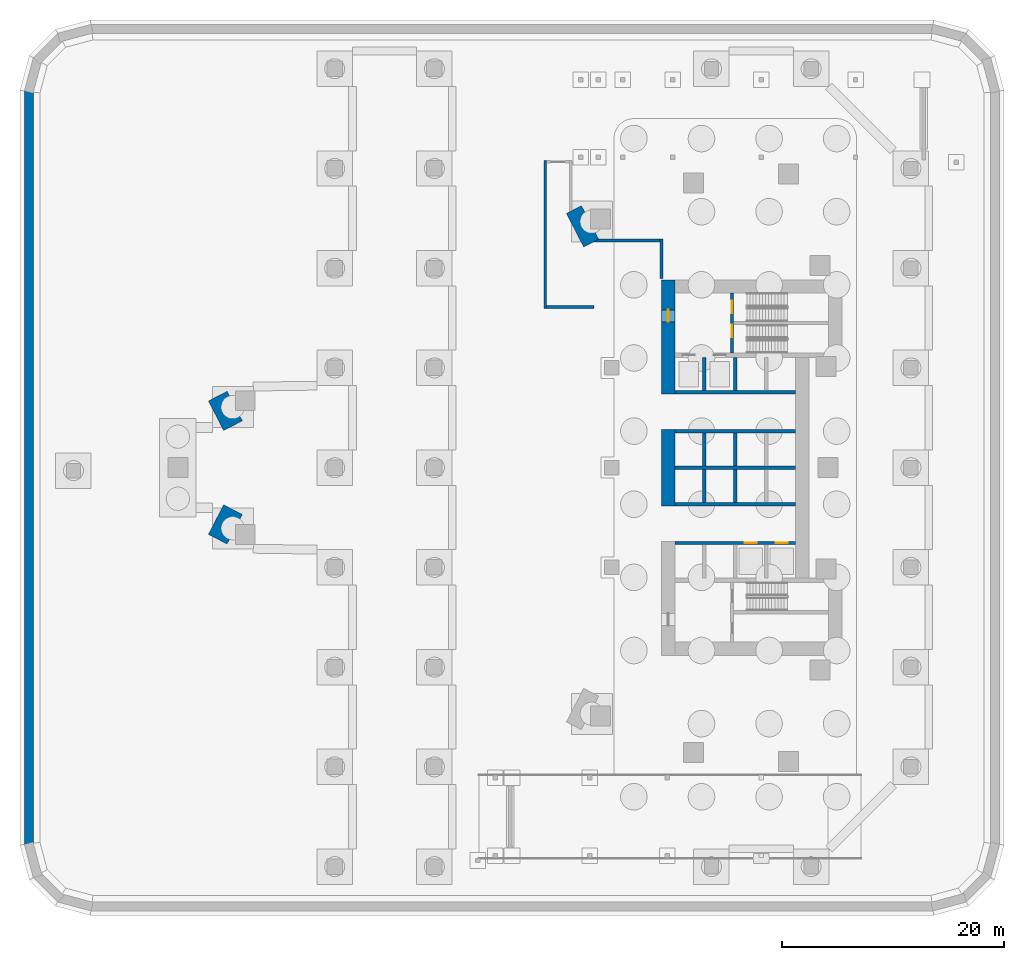
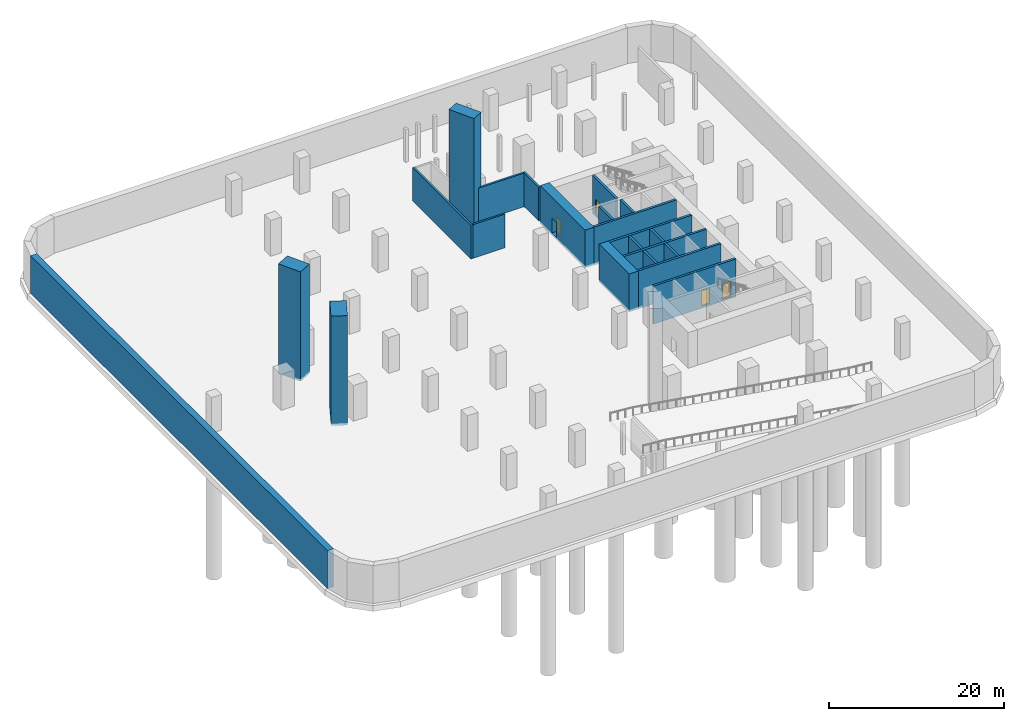
# One storey, part 5 of 11: 22 walls, 5 doors, 5 openings.
"""IFC4 building model written with IfcOpenShell, lengths in metres."""

from ifc_helpers import new_model, si_unit, direction, frame, frame_2d, origin, place, context, subcontext, project, spatial, polyline, rectangle, outline, extrude, material, layer, layer_set, type_object, element, fill, save


model = new_model("IFC4")

# Units and contexts
model_context = context("Model", 3, precision=1e-05, world=origin(), true_north=direction((0.0, 1.0)))
body_context = subcontext(model_context, "Body", "Model", "MODEL_VIEW")
ifc_project = project(units=[si_unit("LENGTHUNIT", "METRE"), si_unit("AREAUNIT", "SQUARE_METRE"), si_unit("VOLUMEUNIT", "CUBIC_METRE"), si_unit("PLANEANGLEUNIT", "RADIAN"), si_unit("MASSUNIT", "GRAM", prefix="KILO")], contexts=[model_context])

# Site, building, storey
site_placement = place(None, origin())
site = spatial("IfcSite", under=ifc_project, at=site_placement, CompositionType="ELEMENT")
building_placement = place(site_placement, origin())
building = spatial("IfcBuilding", under=site, at=building_placement, Name="Ostrand Prow Hotel Tower", CompositionType="ELEMENT")
storey_placement = place(building_placement, frame((0.0, 0.0, -10.0)))
storey = spatial("IfcBuildingStorey", under=building, at=storey_placement, Name="B2", CompositionType="ELEMENT", Elevation=-10.0)

# Walls
ifc_material_1 = material(Name="Concrete C80/95", Category="concrete")
ifc_layer_1 = layer(ifc_material_1, 3.0)
ifc_layer_set_1 = layer_set([ifc_layer_1], Name="Concrete C80/95")
wall_type_1 = type_object("IfcWallType", Name="Abutment pier 3000 C80/95", PredefinedType="SHEAR", material=ifc_layer_set_1)
for number, where, z_axis, x_axis, name in (
    (1, (9.289794921875, -4.68701171875, -0.300048828125), (0.0, 0.0, 1.0), (0.888432899761, -0.459006516972, 0.0), "Abutment pier SW"),
    (2, (9.289794921875, 4.68701171875, -0.300048828125), (0.0, 0.0, 1.0), (0.888432899761, 0.459006516972, 0.0), "Abutment pier NW"),
):
    element("IfcWall", number, at=place(storey_placement, frame(where, z_axis=z_axis, x_axis=x_axis)), inside=storey, type_object=wall_type_1, Name=name, PredefinedType="SHEAR", context=body_context, shape_type="SweptSolid", body=[
        extrude(rectangle(XDim=1.898193359375, YDim=3.0, at=frame_2d((0.94921875, 0.0))), origin(), (0.0, 0.0, 1.0), 15.300048828125),
    ])
ifc_material_2 = material(Name="Concrete C80/95", Category="concrete")
ifc_layer_2 = layer(ifc_material_2, 3.39990234375)
ifc_layer_set_2 = layer_set([ifc_layer_2], Name="Concrete C80/95")
wall_type_2 = type_object("IfcWallType", Name="Abutment pier 3400 C80/95", PredefinedType="SHEAR", material=ifc_layer_set_2)
wall_1_placement = place(storey_placement, frame((41.689697265625, 21.42919921875, -0.300048828125), z_axis=(0.0, 0.0, 1.0), x_axis=(0.888406364692, 0.459057873449, 0.0)))
element("IfcWall", 3, at=wall_1_placement, inside=storey, type_object=wall_type_2, Name="Abutment pier NE", PredefinedType="SHEAR", context=body_context, shape_type="SweptSolid", body=[
    extrude(rectangle(XDim=1.528564453125, YDim=3.39990234375, at=frame_2d((0.76416015625, 0.0))), origin(), (0.0, 0.0, 1.0), 15.300048828125),
])

# Wall, opening, door
ifc_material_3 = material(Name="Concrete C80/95", Category="concrete")
ifc_layer_3 = layer(ifc_material_3, 1.199951171875)
ifc_layer_set_3 = layer_set([ifc_layer_3], Name="Concrete C80/95")
wall_type_3 = type_object("IfcWallType", Name="Core wall 1200 C80/95", PredefinedType="SHEAR", material=ifc_layer_set_3)
wall_2_placement = place(storey_placement, frame((50.10009765625, 6.64990234375, -0.300048828125), z_axis=(0.0, 0.0, 1.0), x_axis=(0.0, 1.0, 0.0)))
wall_2 = element("IfcWall", 4, at=wall_2_placement, inside=storey, type_object=wall_type_3, Name="Core wall CW-W-N", PredefinedType="SHEAR", context=body_context, shape_type="SweptSolid", body=[
    extrude(rectangle(XDim=10.300048828125, YDim=1.199951171875, at=frame_2d((5.14990234375, 0.0))), origin(), (0.0, 0.0, 1.0), 5.300048828125),
])
opening_1_placement = place(wall_2_placement, frame((6.5, 0.0, 0.300048828125)))
opening_1 = element("IfcOpeningElement", 5, at=opening_1_placement, cuts=wall_2, Name="Opening FD1", PredefinedType="OPENING", context=body_context, shape_type="SweptSolid", body=[
    extrude(rectangle(XDim=1.10009765625, YDim=2.10009765625, at=frame_2d((0.550048828125, 1.050048828125))), frame((0.0, 0.60986328125, 0.0), z_axis=(0.0, -1.0, 0.0), x_axis=(1.0, 0.0, 0.0)), (0.0, 0.0, 1.0), 1.219970703125),
])
ifc_material_4 = material(Name="Steel fire door", Category="steel")
door_type_1 = type_object("IfcDoorType", Name="Fire door 1100 EI120", OperationType="SINGLE_SWING_RIGHT", PredefinedType="DOOR", material=ifc_material_4)
door_1_placement = place(opening_1_placement, origin())
door_1 = element("IfcDoor", 6, at=door_1_placement, inside=storey, type_object=door_type_1, Name="FIRE DOOR", OperationType="SINGLE_SWING_RIGHT", OverallHeight=2.10009765625, OverallWidth=1.10009765625, PredefinedType="DOOR", context=body_context, shape_type="SweptSolid", body=[
    extrude(rectangle(XDim=1.10009765625, YDim=2.10009765625, at=frame_2d((0.550048828125, 1.050048828125))), frame((0.0, 0.02490234375, 0.0), z_axis=(0.0, -1.0, 0.0), x_axis=(1.0, 0.0, 0.0)), (0.0, 0.0, 1.0), 0.050048828125),
])
fill(opening_1, door_1)

# Walls
wall_3_placement = place(storey_placement, frame((50.10009765625, -3.449951171875, -0.300048828125), z_axis=(0.0, 0.0, 1.0), x_axis=(0.0, 1.0, 0.0)))
element("IfcWall", 7, at=wall_3_placement, inside=storey, type_object=wall_type_3, Name="Core wall CW-W-C", PredefinedType="SHEAR", context=body_context, shape_type="SweptSolid", body=[
    extrude(rectangle(XDim=6.89990234375, YDim=1.199951171875, at=frame_2d((3.449951171875, 0.0))), origin(), (0.0, 0.0, 1.0), 5.300048828125),
])
ifc_material_5 = material(Name="Concrete C80/95", Category="concrete")
ifc_layer_4 = layer(ifc_material_5, 0.300048828125)
ifc_layer_set_4 = layer_set([ifc_layer_4], Name="Concrete C80/95")
wall_type_4 = type_object("IfcWallType", Name="Core wall 300 C80/95", PredefinedType="SHEAR", material=ifc_layer_set_4)
for number, where, z_axis, x_axis, name in (
    (8, (50.699951171875, 0.0, -0.300048828125), (0.0, 0.0, 1.0), (1.0, 0.0, 0.0), "Core wall PW-C"),
    (9, (50.699951171875, 3.300048828125, -0.300048828125), (0.0, 0.0, 1.0), (1.0, 0.0, 0.0), "Core wall PW-L1-N"),
    (10, (50.699951171875, 6.800048828125, -0.300048828125), (0.0, 0.0, 1.0), (1.0, 0.0, 0.0), "Core wall PW-L2-N"),
):
    element("IfcWall", number, at=place(storey_placement, frame(where, z_axis=z_axis, x_axis=x_axis)), inside=storey, type_object=wall_type_4, Name=name, PredefinedType="SHEAR", context=body_context, shape_type="SweptSolid", body=[
        extrude(rectangle(XDim=10.900146484375, YDim=0.300048828125, at=frame_2d((5.4501953125, 0.0))), origin(), (0.0, 0.0, 1.0), 5.300048828125),
    ])
for number, where, z_axis, x_axis, name in (
    (11, (53.35009765625, 0.14990234375, -0.300048828125), (0.0, 0.0, 1.0), (0.0, 1.0, 0.0), "Core wall PW-R1-NB"),
    (12, (53.35009765625, 6.949951171875, -0.300048828125), (0.0, 0.0, 1.0), (0.0, 1.0, 0.0), "Core wall PW-R1-NA"),
    (13, (56.14990234375, 0.14990234375, -0.300048828125), (0.0, 0.0, 1.0), (0.0, 1.0, 0.0), "Core wall PW-R2-NB"),
    (14, (56.14990234375, 6.949951171875, -0.300048828125), (0.0, 0.0, 1.0), (0.0, 1.0, 0.0), "Core wall PW-R2-NA"),
):
    element("IfcWall", number, at=place(storey_placement, frame(where, z_axis=z_axis, x_axis=x_axis)), inside=storey, type_object=wall_type_4, Name=name, PredefinedType="SHEAR", context=body_context, shape_type="SweptSolid", body=[
        extrude(rectangle(XDim=3.0, YDim=0.300048828125, at=frame_2d((1.5, 0.0))), origin(), (0.0, 0.0, 1.0), 5.300048828125),
    ])
wall_4_placement = place(storey_placement, frame((50.699951171875, -3.300048828125, -0.300048828125), z_axis=(0.0, 0.0, 1.0), x_axis=(1.0, 0.0, 0.0)))
element("IfcWall", 15, at=wall_4_placement, inside=storey, type_object=wall_type_4, Name="Core wall PW-L1-S", PredefinedType="SHEAR", context=body_context, shape_type="SweptSolid", body=[
    extrude(rectangle(XDim=10.900146484375, YDim=0.300048828125, at=frame_2d((5.4501953125, 0.0))), origin(), (0.0, 0.0, 1.0), 5.300048828125),
])

# Wall, openings, doors
wall_5_placement = place(storey_placement, frame((50.699951171875, -6.800048828125, -0.300048828125), z_axis=(0.0, 0.0, 1.0), x_axis=(1.0, 0.0, 0.0)))
wall_5 = element("IfcWall", 16, at=wall_5_placement, inside=storey, type_object=wall_type_4, Name="Core wall PW-L2-S", PredefinedType="SHEAR", context=body_context, shape_type="SweptSolid", body=[
    extrude(rectangle(XDim=10.900146484375, YDim=0.300048828125, at=frame_2d((5.4501953125, 0.0))), origin(), (0.0, 0.0, 1.0), 5.300048828125),
])
opening_2_placement = place(wall_5_placement, frame((6.300048828125, 0.0, 0.300048828125)))
opening_2 = element("IfcOpeningElement", 17, at=opening_2_placement, cuts=wall_5, Name="Opening LD", PredefinedType="OPENING", context=body_context, shape_type="SweptSolid", body=[
    extrude(rectangle(XDim=1.10009765625, YDim=2.10009765625, at=frame_2d((0.550048828125, 1.050048828125))), frame((0.0, 0.159912109375, 0.0), z_axis=(0.0, -1.0, 0.0), x_axis=(1.0, 0.0, 0.0)), (0.0, 0.0, 1.0), 0.320068359375),
])
opening_3_placement = place(wall_5_placement, frame((9.10009765625, 0.0, 0.300048828125)))
opening_3 = element("IfcOpeningElement", 18, at=opening_3_placement, cuts=wall_5, Name="Opening LD", PredefinedType="OPENING", context=body_context, shape_type="SweptSolid", body=[
    extrude(rectangle(XDim=1.10009765625, YDim=2.10009765625, at=frame_2d((0.550048828125, 1.050048828125))), frame((0.0, 0.159912109375, 0.0), z_axis=(0.0, -1.0, 0.0), x_axis=(1.0, 0.0, 0.0)), (0.0, 0.0, 1.0), 0.320068359375),
])
ifc_material_6 = material(Name="Stainless steel door", Category="steel")
door_type_2 = type_object("IfcDoorType", Name="Lift landing door 1100", OperationType="DOUBLE_DOOR_SLIDING", PredefinedType="DOOR", material=ifc_material_6)
door_2_placement = place(opening_2_placement, origin())
door_2 = element("IfcDoor", 19, at=door_2_placement, inside=storey, type_object=door_type_2, Name="LIFT LANDING DOOR", OperationType="DOUBLE_DOOR_SLIDING", OverallHeight=2.10009765625, OverallWidth=1.10009765625, PredefinedType="DOOR", context=body_context, shape_type="SweptSolid", body=[
    extrude(rectangle(XDim=1.10009765625, YDim=2.10009765625, at=frame_2d((0.550048828125, 1.050048828125))), frame((0.0, 0.02490234375, 0.0), z_axis=(0.0, -1.0, 0.0), x_axis=(1.0, 0.0, 0.0)), (0.0, 0.0, 1.0), 0.050048828125),
])
fill(opening_2, door_2)
door_3_placement = place(opening_3_placement, origin())
door_3 = element("IfcDoor", 20, at=door_3_placement, inside=storey, type_object=door_type_2, Name="LIFT LANDING DOOR", OperationType="DOUBLE_DOOR_SLIDING", OverallHeight=2.10009765625, OverallWidth=1.10009765625, PredefinedType="DOOR", context=body_context, shape_type="SweptSolid", body=[
    extrude(rectangle(XDim=1.10009765625, YDim=2.10009765625, at=frame_2d((0.550048828125, 1.050048828125))), frame((0.0, 0.02490234375, 0.0), z_axis=(0.0, -1.0, 0.0), x_axis=(1.0, 0.0, 0.0)), (0.0, 0.0, 1.0), 0.050048828125),
])
fill(opening_3, door_3)

# Walls
for number, where, z_axis, x_axis, name in (
    (21, (53.35009765625, -3.14990234375, -0.300048828125), (0.0, 0.0, 1.0), (0.0, 1.0, 0.0), "Core wall PW-R1-SB"),
    (22, (56.14990234375, -3.14990234375, -0.300048828125), (0.0, 0.0, 1.0), (0.0, 1.0, 0.0), "Core wall PW-R2-SB"),
):
    element("IfcWall", number, at=place(storey_placement, frame(where, z_axis=z_axis, x_axis=x_axis)), inside=storey, type_object=wall_type_4, Name=name, PredefinedType="SHEAR", context=body_context, shape_type="SweptSolid", body=[
        extrude(rectangle(XDim=3.0, YDim=0.300048828125, at=frame_2d((1.5, 0.0))), origin(), (0.0, 0.0, 1.0), 5.300048828125),
    ])

# Wall, openings, doors
wall_6_placement = place(storey_placement, frame((55.85009765625, 10.35009765625, -0.300048828125), z_axis=(0.0, 0.0, 1.0), x_axis=(0.0, 1.0, 0.0)))
wall_6 = element("IfcWall", 23, at=wall_6_placement, inside=storey, type_object=wall_type_4, Name="Core wall PW-VN", PredefinedType="SHEAR", context=body_context, shape_type="SweptSolid", body=[
    extrude(rectangle(XDim=5.39990234375, YDim=0.300048828125, at=frame_2d((2.699951171875, 0.0))), origin(), (0.0, 0.0, 1.0), 5.300048828125),
])
opening_4_placement = place(wall_6_placement, frame((1.429931640625, 0.0, 0.300048828125)))
opening_4 = element("IfcOpeningElement", 24, at=opening_4_placement, cuts=wall_6, Name="Opening FD1", PredefinedType="OPENING", context=body_context, shape_type="SweptSolid", body=[
    extrude(rectangle(XDim=1.10009765625, YDim=2.10009765625, at=frame_2d((0.550048828125, 1.050048828125))), frame((0.0, 0.159912109375, 0.0), z_axis=(0.0, -1.0, 0.0), x_axis=(1.0, 0.0, 0.0)), (0.0, 0.0, 1.0), 0.320068359375),
])
opening_5_placement = place(wall_6_placement, frame((3.60009765625, 0.0, 0.300048828125)))
opening_5 = element("IfcOpeningElement", 25, at=opening_5_placement, cuts=wall_6, Name="Opening FD1", PredefinedType="OPENING", context=body_context, shape_type="SweptSolid", body=[
    extrude(rectangle(XDim=1.10009765625, YDim=2.10009765625, at=frame_2d((0.550048828125, 1.050048828125))), frame((0.0, 0.159912109375, 0.0), z_axis=(0.0, -1.0, 0.0), x_axis=(1.0, 0.0, 0.0)), (0.0, 0.0, 1.0), 0.320068359375),
])
door_4_placement = place(opening_4_placement, origin())
door_4 = element("IfcDoor", 26, at=door_4_placement, inside=storey, type_object=door_type_1, Name="FIRE DOOR", OperationType="SINGLE_SWING_RIGHT", OverallHeight=2.10009765625, OverallWidth=1.10009765625, PredefinedType="DOOR", context=body_context, shape_type="SweptSolid", body=[
    extrude(rectangle(XDim=1.10009765625, YDim=2.10009765625, at=frame_2d((0.550048828125, 1.050048828125))), frame((0.0, 0.02490234375, 0.0), z_axis=(0.0, -1.0, 0.0), x_axis=(1.0, 0.0, 0.0)), (0.0, 0.0, 1.0), 0.050048828125),
])
fill(opening_4, door_4)
door_5_placement = place(opening_5_placement, origin())
door_5 = element("IfcDoor", 27, at=door_5_placement, inside=storey, type_object=door_type_1, Name="FIRE DOOR", OperationType="SINGLE_SWING_RIGHT", OverallHeight=2.10009765625, OverallWidth=1.10009765625, PredefinedType="DOOR", context=body_context, shape_type="SweptSolid", body=[
    extrude(rectangle(XDim=1.10009765625, YDim=2.10009765625, at=frame_2d((0.550048828125, 1.050048828125))), frame((0.0, 0.02490234375, 0.0), z_axis=(0.0, -1.0, 0.0), x_axis=(1.0, 0.0, 0.0)), (0.0, 0.0, 1.0), 0.050048828125),
])
fill(opening_5, door_5)

# Walls
ifc_material_7 = material(Name="Concrete C40/50", Category="concrete")
ifc_layer_5 = layer(ifc_material_7, 0.800048828125)
ifc_layer_set_5 = layer_set([ifc_layer_5], Name="Concrete C40/50")
wall_type_5 = type_object("IfcWallType", Name="Retaining wall 800 C40/50", PredefinedType="STANDARD", material=ifc_layer_set_5)
wall_7_placement = place(storey_placement, frame((-7.60009765625, 34.0, -0.300048828125), z_axis=(0.0, 0.0, 1.0), x_axis=(0.0, -1.0, 0.0)))
element("IfcWall", 28, at=wall_7_placement, inside=storey, type_object=wall_type_5, Name="Retaining wall B2-12", PredefinedType="STANDARD", context=body_context, shape_type="SweptSolid", body=[
    extrude(rectangle(XDim=68.0, YDim=0.800048828125, at=frame_2d((34.0, 0.0))), origin(), (0.0, 0.0, 1.0), 5.300048828125),
])
ifc_material_8 = material(Name="Concrete block wall", Category="concrete")
ifc_layer_6 = layer(ifc_material_8, 0.25)
ifc_layer_set_6 = layer_set([ifc_layer_6], Name="Concrete block wall")
wall_type_6 = type_object("IfcWallType", Name="Service fire wall 250 masonry", PredefinedType="PARTITIONING", material=ifc_layer_set_6)
wall_8_placement = place(storey_placement, frame((39.0, 14.375, 0.0), z_axis=(0.0, 0.0, 1.0), x_axis=(0.0, 1.0, 0.0)))
element("IfcWall", 29, at=wall_8_placement, inside=storey, type_object=wall_type_6, Name="STAIR ACCESS WALL", PredefinedType="PARTITIONING", context=body_context, shape_type="SweptSolid", body=[
    extrude(rectangle(XDim=13.35009765625, YDim=0.25, at=frame_2d((6.675048828125, 0.0))), origin(), (0.0, 0.0, 1.0), 4.699951171875),
])
wall_9_placement = place(storey_placement, frame((39.125, 14.5, 0.0), z_axis=(0.0, 0.0, 1.0), x_axis=(1.0, 0.0, 0.0)))
element("IfcWall", 30, at=wall_9_placement, inside=storey, type_object=wall_type_6, Name="STAIR ACCESS WALL", PredefinedType="PARTITIONING", context=body_context, shape_type="SweptSolid", body=[
    extrude(rectangle(XDim=4.27490234375, YDim=0.25, at=frame_2d((2.137451171875, 0.0))), origin(), (0.0, 0.0, 1.0), 4.699951171875),
])
wall_10_placement = place(storey_placement, frame((43.594970703125, 20.5, 0.0), z_axis=(0.0, 0.0, 1.0), x_axis=(1.0, 0.0, 0.0)))
element("IfcWall", 31, at=wall_10_placement, inside=storey, type_object=wall_type_6, Name="STAIR ACCESS WALL", PredefinedType="PARTITIONING", context=body_context, shape_type="SweptSolid", body=[
    extrude(outline(polyline([(-0.241943359375, -0.125), (5.780029296875, -0.125), (5.780029296875, 0.125), (0.241943359375, 0.125), (-0.241943359375, -0.125)])), origin(), (0.0, 0.0, 1.0), 4.699951171875),
])
wall_11_placement = place(storey_placement, frame((49.5, 17.073974609375, 0.0), z_axis=(0.0, 0.0, 1.0), x_axis=(0.0, 1.0, 0.0)))
element("IfcWall", 32, at=wall_11_placement, inside=storey, type_object=wall_type_6, Name="STAIR ACCESS WALL", PredefinedType="PARTITIONING", context=body_context, shape_type="SweptSolid", body=[
    extrude(rectangle(XDim=3.551025390625, YDim=0.25, at=frame_2d((1.775390625, 0.0))), origin(), (0.0, 0.0, 1.0), 4.699951171875),
])

save(model, "model.ifc")
